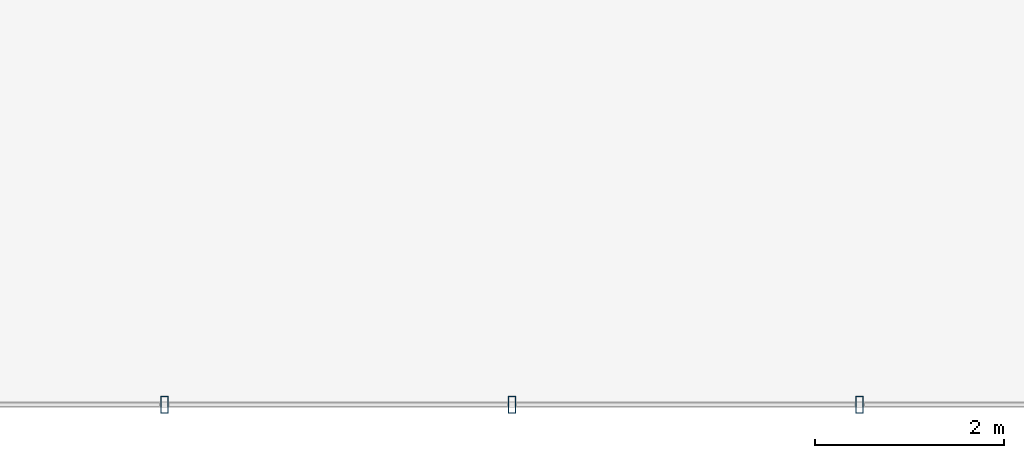
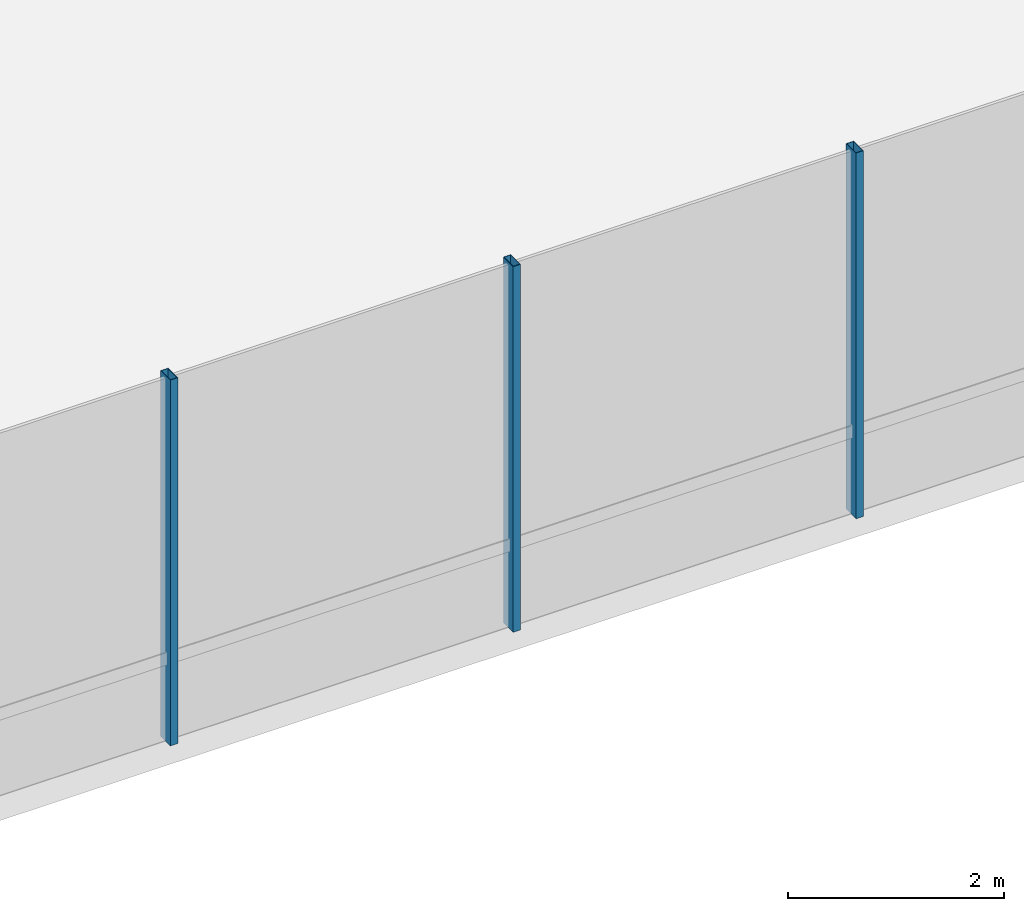
# One storey, part 13 of 37: 3 members, 1 element without a shape of its own.
"""IFC4 building model written with IfcOpenShell, lengths in metres."""

from ifc_helpers import new_model, si_unit, direction, frame, origin, origin_2d, place, context, subcontext, project, spatial, hollow_rectangle, extrude, material, layer, layer_set, material_profile, profile_set, type_object, element, aggregate, save


model = new_model("IFC4")

# Units and contexts
model_context = context("Model", 3, precision=1e-05, world=origin(), true_north=direction((0.0, 1.0)))
body_context = subcontext(model_context, "Body", "Model", "MODEL_VIEW")
ifc_project = project(units=[si_unit("LENGTHUNIT", "METRE"), si_unit("AREAUNIT", "SQUARE_METRE"), si_unit("VOLUMEUNIT", "CUBIC_METRE"), si_unit("PLANEANGLEUNIT", "RADIAN"), si_unit("MASSUNIT", "GRAM", prefix="KILO")], contexts=[model_context])

# Site, building, storey
site_placement = place(None, origin())
site = spatial("IfcSite", under=ifc_project, at=site_placement, CompositionType="ELEMENT")
building_placement = place(site_placement, origin())
building = spatial("IfcBuilding", under=site, at=building_placement, Name="Zarrinselat Tower", CompositionType="ELEMENT")
storey_placement = place(building_placement, frame((0.0, 0.0, 9.52001953125)))
storey = spatial("IfcBuildingStorey", under=building, at=storey_placement, Name="L02", CompositionType="ELEMENT", Elevation=9.52001953125)

# Curtain wall, members
ifc_material_1 = material(Name="Extruded Aluminium Alloy EN AW-6063 T6", Category="aluminium")
ifc_layer = layer(ifc_material_1, 0.2099609375)
ifc_layer_set = layer_set([ifc_layer], Name="Extruded Aluminium Alloy EN AW-6063 T6")
curtain_wall_type = type_object("IfcCurtainWallType", Name="CWS-POD", PredefinedType="NOTDEFINED", material=ifc_layer_set)
curtain_wall_placement = place(storey_placement, origin())
curtain_wall = element("IfcCurtainWall", 1, at=curtain_wall_placement, inside=storey, type_object=curtain_wall_type, Name="L02 Unitised Curtain Wall CW-L02-F1", PredefinedType="NOTDEFINED")
ifc_material_2 = material(Name="Extruded Aluminium Alloy EN AW-6063 T6", Category="aluminium")
ifc_material_profile = material_profile(ifc_material_2, hollow_rectangle(XDim=0.080078125, YDim=0.179931640625, WallThickness=0.0048828125, at=origin_2d()), Name="RHS 180x80x5")
ifc_profile_set = profile_set([ifc_material_profile], Name="Extruded Aluminium Alloy EN AW-6063 T6")
member_type = type_object("IfcMemberType", Name="MEM-CW-MUL", PredefinedType="MULLION", material=ifc_profile_set)
member_1_placement = place(storey_placement, frame((40.2353515625, 5.60009765625, 0.0), z_axis=(0.0, 0.0, 1.0), x_axis=(1.0, 0.0, 0.0)))
member_1 = element("IfcMember", 2, at=member_1_placement, type_object=member_type, Name="CW-L02-F1 Mullion 9", PredefinedType="MULLION", context=body_context, shape_type="SweptSolid", body=[
    extrude(hollow_rectangle(XDim=0.080078125, YDim=0.179931640625, WallThickness=0.0048828125, at=origin_2d()), origin(), (0.0, 0.0, 1.0), 4.139892578125),
])
member_2_placement = place(storey_placement, frame((43.906005859375, 5.60009765625, 0.0), z_axis=(0.0, 0.0, 1.0), x_axis=(1.0, 0.0, 0.0)))
member_2 = element("IfcMember", 3, at=member_2_placement, type_object=member_type, Name="CW-L02-F1 Mullion 10", PredefinedType="MULLION", context=body_context, shape_type="SweptSolid", body=[
    extrude(hollow_rectangle(XDim=0.080078125, YDim=0.179931640625, WallThickness=0.0048828125, at=origin_2d()), origin(), (0.0, 0.0, 1.0), 4.139892578125),
])
member_3_placement = place(storey_placement, frame((47.576416015625, 5.60009765625, 0.0), z_axis=(0.0, 0.0, 1.0), x_axis=(1.0, 0.0, 0.0)))
member_3 = element("IfcMember", 4, at=member_3_placement, type_object=member_type, Name="CW-L02-F1 Mullion 11", PredefinedType="MULLION", context=body_context, shape_type="SweptSolid", body=[
    extrude(hollow_rectangle(XDim=0.080078125, YDim=0.179931640625, WallThickness=0.0048828125, at=origin_2d()), origin(), (0.0, 0.0, 1.0), 4.139892578125),
])
aggregate(curtain_wall, [member_1, member_2, member_3])

save(model, "model.ifc")
